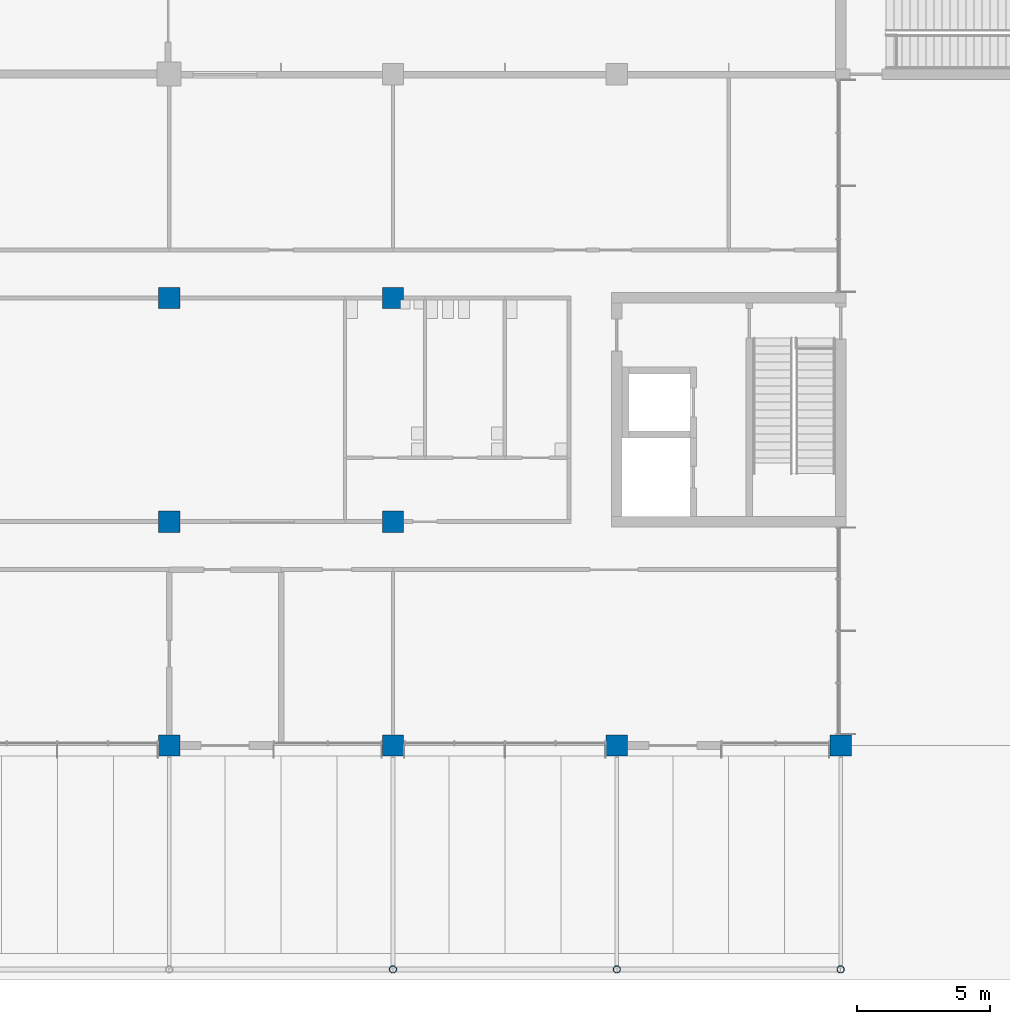
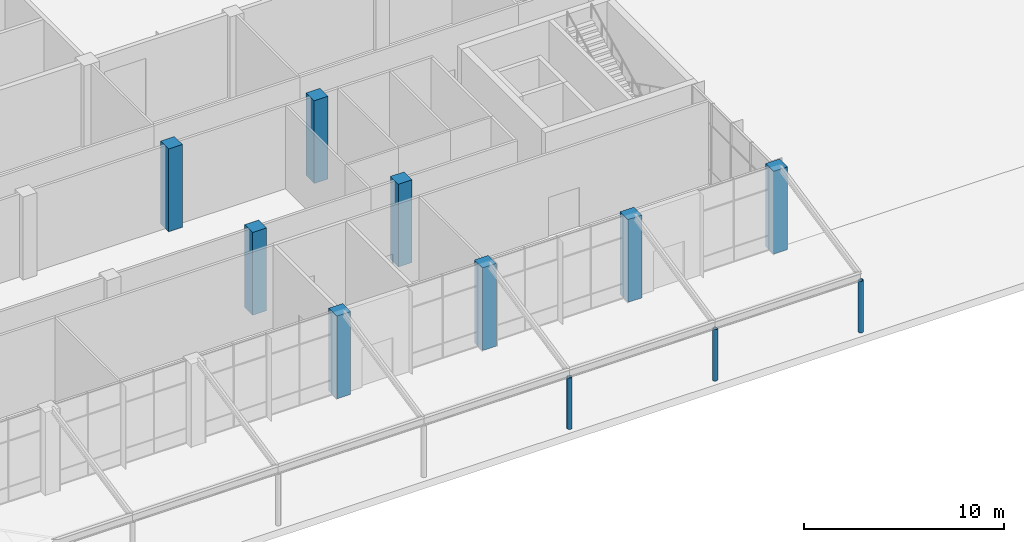
# One storey, part 2 of 76: 11 columns.
"""IFC4 building model written with IfcOpenShell, lengths in metres."""

from ifc_helpers import new_model, si_unit, direction, frame, origin, origin_2d, place, context, subcontext, project, spatial, rectangle, hollow_circle, extrude, material, material_profile, profile_set, type_object, element, save


model = new_model("IFC4")

# Units and contexts
model_context = context("Model", 3, precision=1e-05, world=origin(), true_north=direction((0.0, 1.0)))
body_context = subcontext(model_context, "Body", "Model", "MODEL_VIEW")
ifc_project = project(units=[si_unit("LENGTHUNIT", "METRE"), si_unit("AREAUNIT", "SQUARE_METRE"), si_unit("VOLUMEUNIT", "CUBIC_METRE"), si_unit("PLANEANGLEUNIT", "RADIAN"), si_unit("MASSUNIT", "GRAM", prefix="KILO")], contexts=[model_context])

# Site, building, storey
site_placement = place(None, origin())
site = spatial("IfcSite", under=ifc_project, at=site_placement, CompositionType="ELEMENT")
building_placement = place(site_placement, origin())
building = spatial("IfcBuilding", under=site, at=building_placement, Name="Hlaing Beacon Police Headquarters", CompositionType="ELEMENT")
storey_placement = place(building_placement, origin())
storey = spatial("IfcBuildingStorey", under=building, at=storey_placement, Name="L00", CompositionType="ELEMENT", Elevation=0.0)

# Columns
ifc_material_1 = material(Name="Concrete C50/60", Category="concrete")
ifc_material_profile_1 = material_profile(ifc_material_1, rectangle(XDim=0.800048828125, YDim=0.800048828125, at=origin_2d()), Name="800x800")
ifc_profile_set_1 = profile_set([ifc_material_profile_1], Name="Concrete C50/60")
column_type_1 = type_object("IfcColumnType", Name="RC column 800x800 C50/60", PredefinedType="COLUMN", material=ifc_profile_set_1)
for number, where, z_axis, x_axis, name in (
    (1, (33.60009765625, 8.39990234375, 0.0), (0.0, 0.0, 1.0), (1.0, 0.0, 0.0), "STR-COL-L00-E2"),
    (2, (33.60009765625, 16.800048828125, 0.0), (0.0, 0.0, 1.0), (1.0, 0.0, 0.0), "STR-COL-L00-E3"),
    (3, (33.60009765625, 25.199951171875, 0.0), (0.0, 0.0, 1.0), (1.0, 0.0, 0.0), "STR-COL-L00-E4"),
    (4, (42.0, 8.39990234375, 0.0), (0.0, 0.0, 1.0), (1.0, 0.0, 0.0), "STR-COL-L00-F2"),
    (5, (42.0, 16.800048828125, 0.0), (0.0, 0.0, 1.0), (1.0, 0.0, 0.0), "STR-COL-L00-F3"),
    (6, (42.0, 25.199951171875, 0.0), (0.0, 0.0, 1.0), (1.0, 0.0, 0.0), "STR-COL-L00-F4"),
    (7, (50.39990234375, 8.39990234375, 0.0), (0.0, 0.0, 1.0), (1.0, 0.0, 0.0), "STR-COL-L00-G2"),
    (8, (58.800048828125, 8.39990234375, 0.0), (0.0, 0.0, 1.0), (1.0, 0.0, 0.0), "STR-COL-L00-H2"),
):
    element("IfcColumn", number, at=place(storey_placement, frame(where, z_axis=z_axis, x_axis=x_axis)), inside=storey, type_object=column_type_1, Name=name, PredefinedType="COLUMN", context=body_context, shape_type="SweptSolid", body=[
        extrude(rectangle(XDim=0.800048828125, YDim=0.800048828125, at=origin_2d()), origin(), (0.0, 0.0, 1.0), 5.050048828125),
    ])
ifc_material_2 = material(Name="Steel ASTM A500 Grade C", Category="steel")
ifc_material_profile_2 = material_profile(ifc_material_2, hollow_circle(Radius=0.136474609375, WallThickness=0.0126953125, at=origin_2d()), Name="HSS10.750x0.500")
ifc_profile_set_2 = profile_set([ifc_material_profile_2], Name="Steel ASTM A500 Grade C")
column_type_2 = type_object("IfcColumnType", Name="Steel column HSS10.750x0.500", PredefinedType="COLUMN", material=ifc_profile_set_2)
for number, where, z_axis, x_axis, name in (
    (9, (42.0, 0.0, 0.0), (0.0, 0.0, 1.0), (1.0, 0.0, 0.0), "STR-CL-CL1-COL05"),
    (10, (50.39990234375, 0.0, 0.0), (0.0, 0.0, 1.0), (1.0, 0.0, 0.0), "STR-CL-CL1-COL06"),
    (11, (58.800048828125, 0.0, 0.0), (0.0, 0.0, 1.0), (1.0, 0.0, 0.0), "STR-CL-CL1-COL07"),
):
    element("IfcColumn", number, at=place(storey_placement, frame(where, z_axis=z_axis, x_axis=x_axis)), inside=storey, type_object=column_type_2, Name=name, PredefinedType="COLUMN", context=body_context, shape_type="SweptSolid", body=[
        extrude(hollow_circle(Radius=0.136474609375, WallThickness=0.0126953125, at=origin_2d()), origin(), (0.0, 0.0, 1.0), 3.142822265625),
    ])

save(model, "model.ifc")
